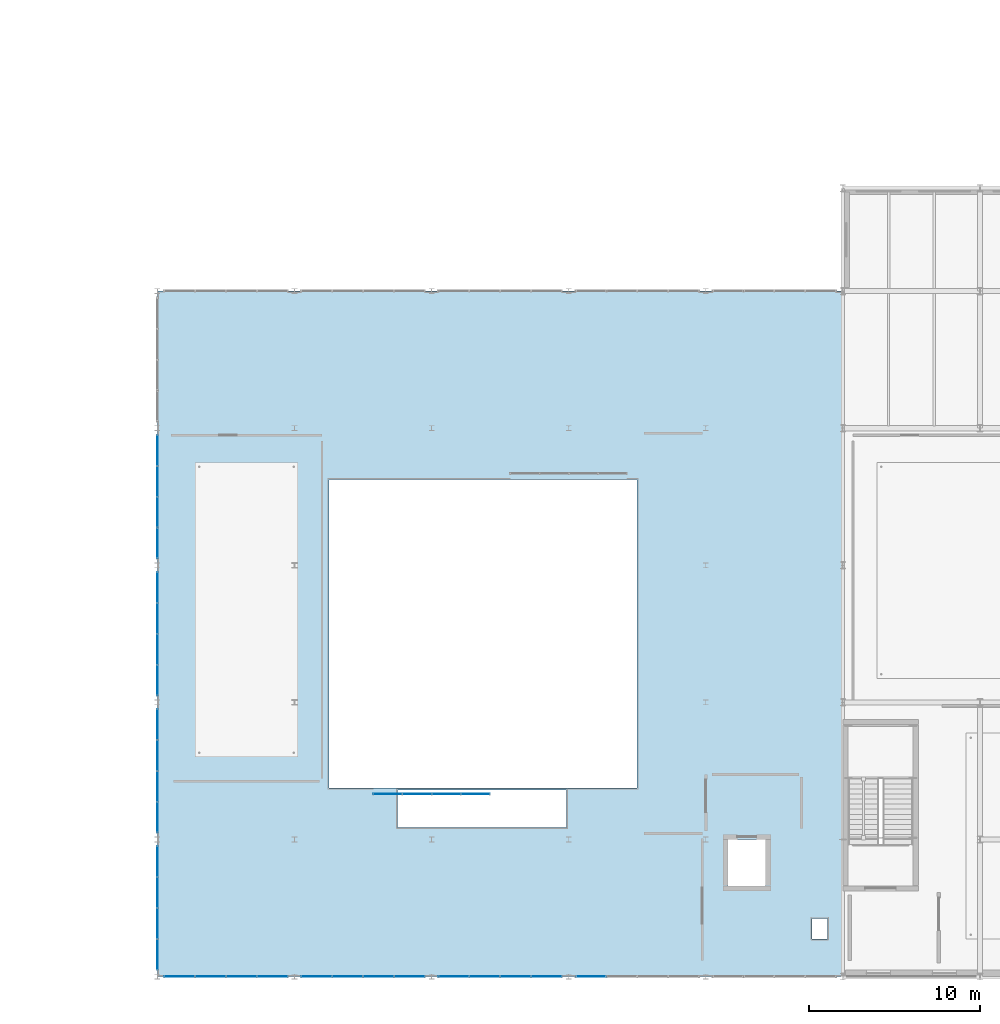
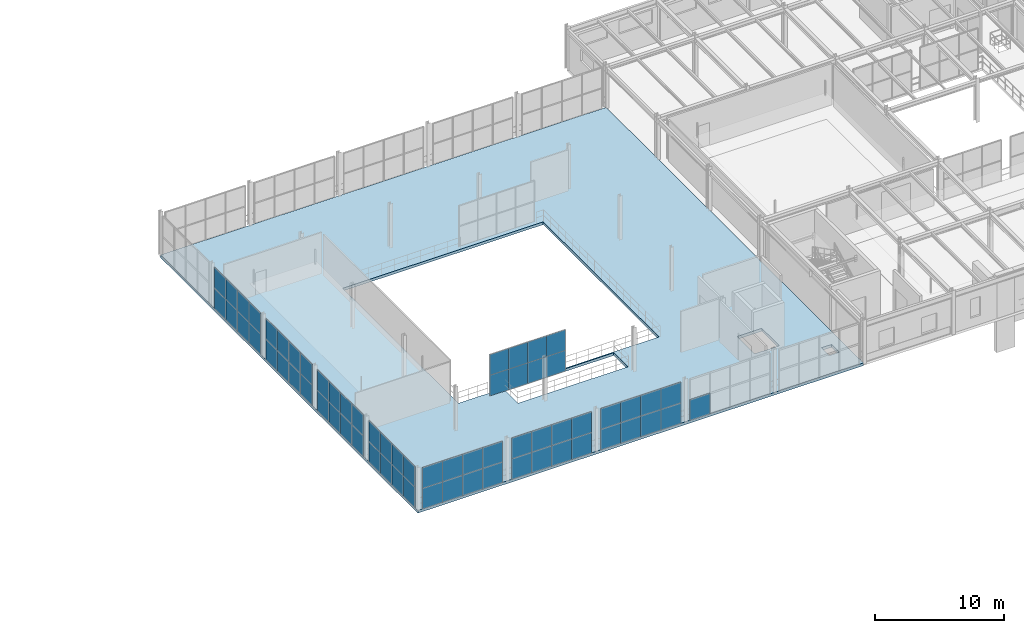
# One storey, part 31 of 67: 65 plates, 1 slab, 9 elements without a shape of their own.
"""IFC4 building model written with IfcOpenShell, lengths in metres."""

from ifc_helpers import new_model, si_unit, direction, frame, origin, origin_2d, place, context, subcontext, project, spatial, polyline, rectangle, outline, extrude, material, layer, layer_set, type_object, element, aggregate, save


model = new_model("IFC4")

# Units and contexts
model_context = context("Model", 3, precision=1e-05, world=origin(), true_north=direction((0.0, 1.0)))
body_context = subcontext(model_context, "Body", "Model", "MODEL_VIEW")
ifc_project = project(units=[si_unit("LENGTHUNIT", "METRE"), si_unit("AREAUNIT", "SQUARE_METRE"), si_unit("VOLUMEUNIT", "CUBIC_METRE"), si_unit("PLANEANGLEUNIT", "RADIAN"), si_unit("MASSUNIT", "GRAM", prefix="KILO")], contexts=[model_context])

# Site, building, storey
site_placement = place(None, origin())
site = spatial("IfcSite", under=ifc_project, at=site_placement, CompositionType="ELEMENT")
building_placement = place(site_placement, origin())
building = spatial("IfcBuilding", under=site, at=building_placement, Name="Sundkrona Museum", CompositionType="ELEMENT")
storey_placement = place(building_placement, frame((0.0, 0.0, 21.800048828125)))
storey = spatial("IfcBuildingStorey", under=building, at=storey_placement, Name="L04", CompositionType="ELEMENT", Elevation=21.800048828125)

# Curtain wall, plates
ifc_material_1 = material(Name="Unitised Aluminium-Steel and Ceramic-Clad Curtain Walling", Category="steel")
curtain_wall_type_1 = type_object("IfcCurtainWallType", Name="CW-AT-72x38", PredefinedType="NOTDEFINED", material=ifc_material_1)
curtain_wall_1_placement = place(storey_placement, origin())
curtain_wall_1 = element("IfcCurtainWall", 1, at=curtain_wall_1_placement, inside=storey, type_object=curtain_wall_type_1, Name="L04 Curtain Wall CW-L04-077", PredefinedType="NOTDEFINED")
ifc_material_2 = material(Name="Triple Low-E Vision Glazing 32 mm", Category="glass")
ifc_layer_1 = layer(ifc_material_2, 0.031982421875)
ifc_layer_set_1 = layer_set([ifc_layer_1], Name="Triple Low-E Vision Glazing 32 mm")
plate_type_1 = type_object("IfcPlateType", Name="PN-GL-01", PredefinedType="CURTAIN_PANEL", material=ifc_layer_set_1)
plate_1_placement = place(storey_placement, frame((81.300048828125, 0.0, -0.00390625), z_axis=(0.0, 0.0, 1.0), x_axis=(1.0, 0.0, 0.0)))
plate_1 = element("IfcPlate", 2, at=plate_1_placement, type_object=plate_type_1, Name="CW-L04-077 Panel 01", PredefinedType="CURTAIN_PANEL", context=body_context, shape_type="SweptSolid", body=[
    extrude(rectangle(XDim=1.800048828125, YDim=0.031982421875, at=origin_2d()), origin(), (0.0, 0.0, 1.0), 1.964111328125),
])
plate_2_placement = place(storey_placement, frame((81.300048828125, 0.0, 1.9599609375), z_axis=(0.0, 0.0, 1.0), x_axis=(1.0, 0.0, 0.0)))
plate_2 = element("IfcPlate", 3, at=plate_2_placement, type_object=plate_type_1, Name="CW-L04-077 Panel 02", PredefinedType="CURTAIN_PANEL", context=body_context, shape_type="SweptSolid", body=[
    extrude(rectangle(XDim=1.800048828125, YDim=0.031982421875, at=origin_2d()), origin(), (0.0, 0.0, 1.0), 1.964111328125),
])
plate_3_placement = place(storey_placement, frame((83.10009765625, 0.0, -0.00390625), z_axis=(0.0, 0.0, 1.0), x_axis=(1.0, 0.0, 0.0)))
plate_3 = element("IfcPlate", 4, at=plate_3_placement, type_object=plate_type_1, Name="CW-L04-077 Panel 03", PredefinedType="CURTAIN_PANEL", context=body_context, shape_type="SweptSolid", body=[
    extrude(rectangle(XDim=1.800048828125, YDim=0.031982421875, at=origin_2d()), origin(), (0.0, 0.0, 1.0), 1.964111328125),
])
plate_4_placement = place(storey_placement, frame((83.10009765625, 0.0, 1.9599609375), z_axis=(0.0, 0.0, 1.0), x_axis=(1.0, 0.0, 0.0)))
plate_4 = element("IfcPlate", 5, at=plate_4_placement, type_object=plate_type_1, Name="CW-L04-077 Panel 04", PredefinedType="CURTAIN_PANEL", context=body_context, shape_type="SweptSolid", body=[
    extrude(rectangle(XDim=1.800048828125, YDim=0.031982421875, at=origin_2d()), origin(), (0.0, 0.0, 1.0), 1.964111328125),
])
plate_5_placement = place(storey_placement, frame((84.89990234375, 0.0, -0.00390625), z_axis=(0.0, 0.0, 1.0), x_axis=(1.0, 0.0, 0.0)))
plate_5 = element("IfcPlate", 6, at=plate_5_placement, type_object=plate_type_1, Name="CW-L04-077 Panel 05", PredefinedType="CURTAIN_PANEL", context=body_context, shape_type="SweptSolid", body=[
    extrude(rectangle(XDim=1.800048828125, YDim=0.031982421875, at=origin_2d()), origin(), (0.0, 0.0, 1.0), 1.964111328125),
])
plate_6_placement = place(storey_placement, frame((84.89990234375, 0.0, 1.9599609375), z_axis=(0.0, 0.0, 1.0), x_axis=(1.0, 0.0, 0.0)))
plate_6 = element("IfcPlate", 7, at=plate_6_placement, type_object=plate_type_1, Name="CW-L04-077 Panel 06", PredefinedType="CURTAIN_PANEL", context=body_context, shape_type="SweptSolid", body=[
    extrude(rectangle(XDim=1.800048828125, YDim=0.031982421875, at=origin_2d()), origin(), (0.0, 0.0, 1.0), 1.964111328125),
])
plate_7_placement = place(storey_placement, frame((86.699951171875, 0.0, -0.00390625), z_axis=(0.0, 0.0, 1.0), x_axis=(1.0, 0.0, 0.0)))
plate_7 = element("IfcPlate", 8, at=plate_7_placement, type_object=plate_type_1, Name="CW-L04-077 Panel 07", PredefinedType="CURTAIN_PANEL", context=body_context, shape_type="SweptSolid", body=[
    extrude(rectangle(XDim=1.800048828125, YDim=0.031982421875, at=origin_2d()), origin(), (0.0, 0.0, 1.0), 1.964111328125),
])
plate_8_placement = place(storey_placement, frame((86.699951171875, 0.0, 1.9599609375), z_axis=(0.0, 0.0, 1.0), x_axis=(1.0, 0.0, 0.0)))
plate_8 = element("IfcPlate", 9, at=plate_8_placement, type_object=plate_type_1, Name="CW-L04-077 Panel 08", PredefinedType="CURTAIN_PANEL", context=body_context, shape_type="SweptSolid", body=[
    extrude(rectangle(XDim=1.800048828125, YDim=0.031982421875, at=origin_2d()), origin(), (0.0, 0.0, 1.0), 1.964111328125),
])
aggregate(curtain_wall_1, [plate_1, plate_2, plate_3, plate_4, plate_5, plate_6, plate_7, plate_8])

curtain_wall_2_placement = place(storey_placement, origin())
curtain_wall_2 = element("IfcCurtainWall", 10, at=curtain_wall_2_placement, inside=storey, type_object=curtain_wall_type_1, Name="L04 Curtain Wall CW-L04-078", PredefinedType="NOTDEFINED")
plate_9_placement = place(storey_placement, frame((89.300048828125, 0.0, -0.00390625), z_axis=(0.0, 0.0, 1.0), x_axis=(1.0, 0.0, 0.0)))
plate_9 = element("IfcPlate", 11, at=plate_9_placement, type_object=plate_type_1, Name="CW-L04-078 Panel 01", PredefinedType="CURTAIN_PANEL", context=body_context, shape_type="SweptSolid", body=[
    extrude(rectangle(XDim=1.800048828125, YDim=0.031982421875, at=origin_2d()), origin(), (0.0, 0.0, 1.0), 1.964111328125),
])
plate_10_placement = place(storey_placement, frame((89.300048828125, 0.0, 1.9599609375), z_axis=(0.0, 0.0, 1.0), x_axis=(1.0, 0.0, 0.0)))
plate_10 = element("IfcPlate", 12, at=plate_10_placement, type_object=plate_type_1, Name="CW-L04-078 Panel 02", PredefinedType="CURTAIN_PANEL", context=body_context, shape_type="SweptSolid", body=[
    extrude(rectangle(XDim=1.800048828125, YDim=0.031982421875, at=origin_2d()), origin(), (0.0, 0.0, 1.0), 1.964111328125),
])
plate_11_placement = place(storey_placement, frame((91.10009765625, 0.0, -0.00390625), z_axis=(0.0, 0.0, 1.0), x_axis=(1.0, 0.0, 0.0)))
plate_11 = element("IfcPlate", 13, at=plate_11_placement, type_object=plate_type_1, Name="CW-L04-078 Panel 03", PredefinedType="CURTAIN_PANEL", context=body_context, shape_type="SweptSolid", body=[
    extrude(rectangle(XDim=1.800048828125, YDim=0.031982421875, at=origin_2d()), origin(), (0.0, 0.0, 1.0), 1.964111328125),
])
plate_12_placement = place(storey_placement, frame((91.10009765625, 0.0, 1.9599609375), z_axis=(0.0, 0.0, 1.0), x_axis=(1.0, 0.0, 0.0)))
plate_12 = element("IfcPlate", 14, at=plate_12_placement, type_object=plate_type_1, Name="CW-L04-078 Panel 04", PredefinedType="CURTAIN_PANEL", context=body_context, shape_type="SweptSolid", body=[
    extrude(rectangle(XDim=1.800048828125, YDim=0.031982421875, at=origin_2d()), origin(), (0.0, 0.0, 1.0), 1.964111328125),
])
plate_13_placement = place(storey_placement, frame((92.89990234375, 0.0, -0.00390625), z_axis=(0.0, 0.0, 1.0), x_axis=(1.0, 0.0, 0.0)))
plate_13 = element("IfcPlate", 15, at=plate_13_placement, type_object=plate_type_1, Name="CW-L04-078 Panel 05", PredefinedType="CURTAIN_PANEL", context=body_context, shape_type="SweptSolid", body=[
    extrude(rectangle(XDim=1.800048828125, YDim=0.031982421875, at=origin_2d()), origin(), (0.0, 0.0, 1.0), 1.964111328125),
])
plate_14_placement = place(storey_placement, frame((92.89990234375, 0.0, 1.9599609375), z_axis=(0.0, 0.0, 1.0), x_axis=(1.0, 0.0, 0.0)))
plate_14 = element("IfcPlate", 16, at=plate_14_placement, type_object=plate_type_1, Name="CW-L04-078 Panel 06", PredefinedType="CURTAIN_PANEL", context=body_context, shape_type="SweptSolid", body=[
    extrude(rectangle(XDim=1.800048828125, YDim=0.031982421875, at=origin_2d()), origin(), (0.0, 0.0, 1.0), 1.964111328125),
])
plate_15_placement = place(storey_placement, frame((94.699951171875, 0.0, -0.00390625), z_axis=(0.0, 0.0, 1.0), x_axis=(1.0, 0.0, 0.0)))
plate_15 = element("IfcPlate", 17, at=plate_15_placement, type_object=plate_type_1, Name="CW-L04-078 Panel 07", PredefinedType="CURTAIN_PANEL", context=body_context, shape_type="SweptSolid", body=[
    extrude(rectangle(XDim=1.800048828125, YDim=0.031982421875, at=origin_2d()), origin(), (0.0, 0.0, 1.0), 1.964111328125),
])
plate_16_placement = place(storey_placement, frame((94.699951171875, 0.0, 1.9599609375), z_axis=(0.0, 0.0, 1.0), x_axis=(1.0, 0.0, 0.0)))
plate_16 = element("IfcPlate", 18, at=plate_16_placement, type_object=plate_type_1, Name="CW-L04-078 Panel 08", PredefinedType="CURTAIN_PANEL", context=body_context, shape_type="SweptSolid", body=[
    extrude(rectangle(XDim=1.800048828125, YDim=0.031982421875, at=origin_2d()), origin(), (0.0, 0.0, 1.0), 1.964111328125),
])
aggregate(curtain_wall_2, [plate_9, plate_10, plate_11, plate_12, plate_13, plate_14, plate_15, plate_16])

curtain_wall_3_placement = place(storey_placement, origin())
curtain_wall_3 = element("IfcCurtainWall", 19, at=curtain_wall_3_placement, inside=storey, type_object=curtain_wall_type_1, Name="L04 Curtain Wall CW-L04-079", PredefinedType="NOTDEFINED")
plate_17_placement = place(storey_placement, frame((97.300048828125, 0.0, -0.00390625), z_axis=(0.0, 0.0, 1.0), x_axis=(1.0, 0.0, 0.0)))
plate_17 = element("IfcPlate", 20, at=plate_17_placement, type_object=plate_type_1, Name="CW-L04-079 Panel 01", PredefinedType="CURTAIN_PANEL", context=body_context, shape_type="SweptSolid", body=[
    extrude(rectangle(XDim=1.800048828125, YDim=0.031982421875, at=origin_2d()), origin(), (0.0, 0.0, 1.0), 1.964111328125),
])
plate_18_placement = place(storey_placement, frame((97.300048828125, 0.0, 1.9599609375), z_axis=(0.0, 0.0, 1.0), x_axis=(1.0, 0.0, 0.0)))
plate_18 = element("IfcPlate", 21, at=plate_18_placement, type_object=plate_type_1, Name="CW-L04-079 Panel 02", PredefinedType="CURTAIN_PANEL", context=body_context, shape_type="SweptSolid", body=[
    extrude(rectangle(XDim=1.800048828125, YDim=0.031982421875, at=origin_2d()), origin(), (0.0, 0.0, 1.0), 1.964111328125),
])
plate_19_placement = place(storey_placement, frame((99.10009765625, 0.0, -0.00390625), z_axis=(0.0, 0.0, 1.0), x_axis=(1.0, 0.0, 0.0)))
plate_19 = element("IfcPlate", 22, at=plate_19_placement, type_object=plate_type_1, Name="CW-L04-079 Panel 03", PredefinedType="CURTAIN_PANEL", context=body_context, shape_type="SweptSolid", body=[
    extrude(rectangle(XDim=1.800048828125, YDim=0.031982421875, at=origin_2d()), origin(), (0.0, 0.0, 1.0), 1.964111328125),
])
plate_20_placement = place(storey_placement, frame((99.10009765625, 0.0, 1.9599609375), z_axis=(0.0, 0.0, 1.0), x_axis=(1.0, 0.0, 0.0)))
plate_20 = element("IfcPlate", 23, at=plate_20_placement, type_object=plate_type_1, Name="CW-L04-079 Panel 04", PredefinedType="CURTAIN_PANEL", context=body_context, shape_type="SweptSolid", body=[
    extrude(rectangle(XDim=1.800048828125, YDim=0.031982421875, at=origin_2d()), origin(), (0.0, 0.0, 1.0), 1.964111328125),
])
plate_21_placement = place(storey_placement, frame((100.89990234375, 0.0, -0.00390625), z_axis=(0.0, 0.0, 1.0), x_axis=(1.0, 0.0, 0.0)))
plate_21 = element("IfcPlate", 24, at=plate_21_placement, type_object=plate_type_1, Name="CW-L04-079 Panel 05", PredefinedType="CURTAIN_PANEL", context=body_context, shape_type="SweptSolid", body=[
    extrude(rectangle(XDim=1.800048828125, YDim=0.031982421875, at=origin_2d()), origin(), (0.0, 0.0, 1.0), 1.964111328125),
])
plate_22_placement = place(storey_placement, frame((100.89990234375, 0.0, 1.9599609375), z_axis=(0.0, 0.0, 1.0), x_axis=(1.0, 0.0, 0.0)))
plate_22 = element("IfcPlate", 25, at=plate_22_placement, type_object=plate_type_1, Name="CW-L04-079 Panel 06", PredefinedType="CURTAIN_PANEL", context=body_context, shape_type="SweptSolid", body=[
    extrude(rectangle(XDim=1.800048828125, YDim=0.031982421875, at=origin_2d()), origin(), (0.0, 0.0, 1.0), 1.964111328125),
])
plate_23_placement = place(storey_placement, frame((102.699951171875, 0.0, -0.00390625), z_axis=(0.0, 0.0, 1.0), x_axis=(1.0, 0.0, 0.0)))
plate_23 = element("IfcPlate", 26, at=plate_23_placement, type_object=plate_type_1, Name="CW-L04-079 Panel 07", PredefinedType="CURTAIN_PANEL", context=body_context, shape_type="SweptSolid", body=[
    extrude(rectangle(XDim=1.800048828125, YDim=0.031982421875, at=origin_2d()), origin(), (0.0, 0.0, 1.0), 1.964111328125),
])
plate_24_placement = place(storey_placement, frame((102.699951171875, 0.0, 1.9599609375), z_axis=(0.0, 0.0, 1.0), x_axis=(1.0, 0.0, 0.0)))
plate_24 = element("IfcPlate", 27, at=plate_24_placement, type_object=plate_type_1, Name="CW-L04-079 Panel 08", PredefinedType="CURTAIN_PANEL", context=body_context, shape_type="SweptSolid", body=[
    extrude(rectangle(XDim=1.800048828125, YDim=0.031982421875, at=origin_2d()), origin(), (0.0, 0.0, 1.0), 1.964111328125),
])
aggregate(curtain_wall_3, [plate_17, plate_18, plate_19, plate_20, plate_21, plate_22, plate_23, plate_24])

# Curtain wall, plate
curtain_wall_4_placement = place(storey_placement, origin())
curtain_wall_4 = element("IfcCurtainWall", 28, at=curtain_wall_4_placement, inside=storey, type_object=curtain_wall_type_1, Name="L04 Curtain Wall CW-L04-080", PredefinedType="NOTDEFINED")
plate_25_placement = place(storey_placement, frame((105.300048828125, 0.0, -0.00390625), z_axis=(0.0, 0.0, 1.0), x_axis=(1.0, 0.0, 0.0)))
plate_25 = element("IfcPlate", 29, at=plate_25_placement, type_object=plate_type_1, Name="CW-L04-080 Panel 01", PredefinedType="CURTAIN_PANEL", context=body_context, shape_type="SweptSolid", body=[
    extrude(rectangle(XDim=1.800048828125, YDim=0.031982421875, at=origin_2d()), origin(), (0.0, 0.0, 1.0), 1.964111328125),
])
aggregate(curtain_wall_4, [plate_25])

# Curtain wall, plates
curtain_wall_5_placement = place(storey_placement, origin())
curtain_wall_5 = element("IfcCurtainWall", 30, at=curtain_wall_5_placement, inside=storey, type_object=curtain_wall_type_1, Name="L04 Curtain Wall CW-L04-082", PredefinedType="NOTDEFINED")
plate_26_placement = place(storey_placement, frame((80.0, 1.300048828125, -0.00390625), z_axis=(0.0, 0.0, 1.0), x_axis=(0.0, 1.0, 0.0)))
plate_26 = element("IfcPlate", 31, at=plate_26_placement, type_object=plate_type_1, Name="CW-L04-082 Panel 01", PredefinedType="CURTAIN_PANEL", context=body_context, shape_type="SweptSolid", body=[
    extrude(rectangle(XDim=1.800048828125, YDim=0.031982421875, at=origin_2d()), origin(), (0.0, 0.0, 1.0), 1.964111328125),
])
plate_27_placement = place(storey_placement, frame((80.0, 1.300048828125, 1.9599609375), z_axis=(0.0, 0.0, 1.0), x_axis=(0.0, 1.0, 0.0)))
plate_27 = element("IfcPlate", 32, at=plate_27_placement, type_object=plate_type_1, Name="CW-L04-082 Panel 02", PredefinedType="CURTAIN_PANEL", context=body_context, shape_type="SweptSolid", body=[
    extrude(rectangle(XDim=1.800048828125, YDim=0.031982421875, at=origin_2d()), origin(), (0.0, 0.0, 1.0), 1.964111328125),
])
plate_28_placement = place(storey_placement, frame((80.0, 3.10009765625, -0.00390625), z_axis=(0.0, 0.0, 1.0), x_axis=(0.0, 1.0, 0.0)))
plate_28 = element("IfcPlate", 33, at=plate_28_placement, type_object=plate_type_1, Name="CW-L04-082 Panel 03", PredefinedType="CURTAIN_PANEL", context=body_context, shape_type="SweptSolid", body=[
    extrude(rectangle(XDim=1.800048828125, YDim=0.031982421875, at=origin_2d()), origin(), (0.0, 0.0, 1.0), 1.964111328125),
])
plate_29_placement = place(storey_placement, frame((80.0, 3.10009765625, 1.9599609375), z_axis=(0.0, 0.0, 1.0), x_axis=(0.0, 1.0, 0.0)))
plate_29 = element("IfcPlate", 34, at=plate_29_placement, type_object=plate_type_1, Name="CW-L04-082 Panel 04", PredefinedType="CURTAIN_PANEL", context=body_context, shape_type="SweptSolid", body=[
    extrude(rectangle(XDim=1.800048828125, YDim=0.031982421875, at=origin_2d()), origin(), (0.0, 0.0, 1.0), 1.964111328125),
])
plate_30_placement = place(storey_placement, frame((80.0, 4.89990234375, -0.00390625), z_axis=(0.0, 0.0, 1.0), x_axis=(0.0, 1.0, 0.0)))
plate_30 = element("IfcPlate", 35, at=plate_30_placement, type_object=plate_type_1, Name="CW-L04-082 Panel 05", PredefinedType="CURTAIN_PANEL", context=body_context, shape_type="SweptSolid", body=[
    extrude(rectangle(XDim=1.800048828125, YDim=0.031982421875, at=origin_2d()), origin(), (0.0, 0.0, 1.0), 1.964111328125),
])
plate_31_placement = place(storey_placement, frame((80.0, 4.89990234375, 1.9599609375), z_axis=(0.0, 0.0, 1.0), x_axis=(0.0, 1.0, 0.0)))
plate_31 = element("IfcPlate", 36, at=plate_31_placement, type_object=plate_type_1, Name="CW-L04-082 Panel 06", PredefinedType="CURTAIN_PANEL", context=body_context, shape_type="SweptSolid", body=[
    extrude(rectangle(XDim=1.800048828125, YDim=0.031982421875, at=origin_2d()), origin(), (0.0, 0.0, 1.0), 1.964111328125),
])
plate_32_placement = place(storey_placement, frame((80.0, 6.699951171875, -0.00390625), z_axis=(0.0, 0.0, 1.0), x_axis=(0.0, 1.0, 0.0)))
plate_32 = element("IfcPlate", 37, at=plate_32_placement, type_object=plate_type_1, Name="CW-L04-082 Panel 07", PredefinedType="CURTAIN_PANEL", context=body_context, shape_type="SweptSolid", body=[
    extrude(rectangle(XDim=1.800048828125, YDim=0.031982421875, at=origin_2d()), origin(), (0.0, 0.0, 1.0), 1.964111328125),
])
plate_33_placement = place(storey_placement, frame((80.0, 6.699951171875, 1.9599609375), z_axis=(0.0, 0.0, 1.0), x_axis=(0.0, 1.0, 0.0)))
plate_33 = element("IfcPlate", 38, at=plate_33_placement, type_object=plate_type_1, Name="CW-L04-082 Panel 08", PredefinedType="CURTAIN_PANEL", context=body_context, shape_type="SweptSolid", body=[
    extrude(rectangle(XDim=1.800048828125, YDim=0.031982421875, at=origin_2d()), origin(), (0.0, 0.0, 1.0), 1.964111328125),
])
aggregate(curtain_wall_5, [plate_26, plate_27, plate_28, plate_29, plate_30, plate_31, plate_32, plate_33])

curtain_wall_6_placement = place(storey_placement, origin())
curtain_wall_6 = element("IfcCurtainWall", 39, at=curtain_wall_6_placement, inside=storey, type_object=curtain_wall_type_1, Name="L04 Curtain Wall CW-L04-083", PredefinedType="NOTDEFINED")
plate_34_placement = place(storey_placement, frame((80.0, 9.300048828125, -0.00390625), z_axis=(0.0, 0.0, 1.0), x_axis=(0.0, 1.0, 0.0)))
plate_34 = element("IfcPlate", 40, at=plate_34_placement, type_object=plate_type_1, Name="CW-L04-083 Panel 01", PredefinedType="CURTAIN_PANEL", context=body_context, shape_type="SweptSolid", body=[
    extrude(rectangle(XDim=1.800048828125, YDim=0.031982421875, at=origin_2d()), origin(), (0.0, 0.0, 1.0), 1.964111328125),
])
plate_35_placement = place(storey_placement, frame((80.0, 9.300048828125, 1.9599609375), z_axis=(0.0, 0.0, 1.0), x_axis=(0.0, 1.0, 0.0)))
plate_35 = element("IfcPlate", 41, at=plate_35_placement, type_object=plate_type_1, Name="CW-L04-083 Panel 02", PredefinedType="CURTAIN_PANEL", context=body_context, shape_type="SweptSolid", body=[
    extrude(rectangle(XDim=1.800048828125, YDim=0.031982421875, at=origin_2d()), origin(), (0.0, 0.0, 1.0), 1.964111328125),
])
plate_36_placement = place(storey_placement, frame((80.0, 11.10009765625, -0.00390625), z_axis=(0.0, 0.0, 1.0), x_axis=(0.0, 1.0, 0.0)))
plate_36 = element("IfcPlate", 42, at=plate_36_placement, type_object=plate_type_1, Name="CW-L04-083 Panel 03", PredefinedType="CURTAIN_PANEL", context=body_context, shape_type="SweptSolid", body=[
    extrude(rectangle(XDim=1.800048828125, YDim=0.031982421875, at=origin_2d()), origin(), (0.0, 0.0, 1.0), 1.964111328125),
])
plate_37_placement = place(storey_placement, frame((80.0, 11.10009765625, 1.9599609375), z_axis=(0.0, 0.0, 1.0), x_axis=(0.0, 1.0, 0.0)))
plate_37 = element("IfcPlate", 43, at=plate_37_placement, type_object=plate_type_1, Name="CW-L04-083 Panel 04", PredefinedType="CURTAIN_PANEL", context=body_context, shape_type="SweptSolid", body=[
    extrude(rectangle(XDim=1.800048828125, YDim=0.031982421875, at=origin_2d()), origin(), (0.0, 0.0, 1.0), 1.964111328125),
])
plate_38_placement = place(storey_placement, frame((80.0, 12.89990234375, -0.00390625), z_axis=(0.0, 0.0, 1.0), x_axis=(0.0, 1.0, 0.0)))
plate_38 = element("IfcPlate", 44, at=plate_38_placement, type_object=plate_type_1, Name="CW-L04-083 Panel 05", PredefinedType="CURTAIN_PANEL", context=body_context, shape_type="SweptSolid", body=[
    extrude(rectangle(XDim=1.800048828125, YDim=0.031982421875, at=origin_2d()), origin(), (0.0, 0.0, 1.0), 1.964111328125),
])
plate_39_placement = place(storey_placement, frame((80.0, 12.89990234375, 1.9599609375), z_axis=(0.0, 0.0, 1.0), x_axis=(0.0, 1.0, 0.0)))
plate_39 = element("IfcPlate", 45, at=plate_39_placement, type_object=plate_type_1, Name="CW-L04-083 Panel 06", PredefinedType="CURTAIN_PANEL", context=body_context, shape_type="SweptSolid", body=[
    extrude(rectangle(XDim=1.800048828125, YDim=0.031982421875, at=origin_2d()), origin(), (0.0, 0.0, 1.0), 1.964111328125),
])
plate_40_placement = place(storey_placement, frame((80.0, 14.699951171875, -0.00390625), z_axis=(0.0, 0.0, 1.0), x_axis=(0.0, 1.0, 0.0)))
plate_40 = element("IfcPlate", 46, at=plate_40_placement, type_object=plate_type_1, Name="CW-L04-083 Panel 07", PredefinedType="CURTAIN_PANEL", context=body_context, shape_type="SweptSolid", body=[
    extrude(rectangle(XDim=1.800048828125, YDim=0.031982421875, at=origin_2d()), origin(), (0.0, 0.0, 1.0), 1.964111328125),
])
plate_41_placement = place(storey_placement, frame((80.0, 14.699951171875, 1.9599609375), z_axis=(0.0, 0.0, 1.0), x_axis=(0.0, 1.0, 0.0)))
plate_41 = element("IfcPlate", 47, at=plate_41_placement, type_object=plate_type_1, Name="CW-L04-083 Panel 08", PredefinedType="CURTAIN_PANEL", context=body_context, shape_type="SweptSolid", body=[
    extrude(rectangle(XDim=1.800048828125, YDim=0.031982421875, at=origin_2d()), origin(), (0.0, 0.0, 1.0), 1.964111328125),
])
aggregate(curtain_wall_6, [plate_34, plate_35, plate_36, plate_37, plate_38, plate_39, plate_40, plate_41])

curtain_wall_7_placement = place(storey_placement, origin())
curtain_wall_7 = element("IfcCurtainWall", 48, at=curtain_wall_7_placement, inside=storey, type_object=curtain_wall_type_1, Name="L04 Curtain Wall CW-L04-084", PredefinedType="NOTDEFINED")
plate_42_placement = place(storey_placement, frame((80.0, 17.300048828125, -0.00390625), z_axis=(0.0, 0.0, 1.0), x_axis=(0.0, 1.0, 0.0)))
plate_42 = element("IfcPlate", 49, at=plate_42_placement, type_object=plate_type_1, Name="CW-L04-084 Panel 01", PredefinedType="CURTAIN_PANEL", context=body_context, shape_type="SweptSolid", body=[
    extrude(rectangle(XDim=1.800048828125, YDim=0.031982421875, at=origin_2d()), origin(), (0.0, 0.0, 1.0), 1.964111328125),
])
plate_43_placement = place(storey_placement, frame((80.0, 17.300048828125, 1.9599609375), z_axis=(0.0, 0.0, 1.0), x_axis=(0.0, 1.0, 0.0)))
plate_43 = element("IfcPlate", 50, at=plate_43_placement, type_object=plate_type_1, Name="CW-L04-084 Panel 02", PredefinedType="CURTAIN_PANEL", context=body_context, shape_type="SweptSolid", body=[
    extrude(rectangle(XDim=1.800048828125, YDim=0.031982421875, at=origin_2d()), origin(), (0.0, 0.0, 1.0), 1.964111328125),
])
plate_44_placement = place(storey_placement, frame((80.0, 19.10009765625, -0.00390625), z_axis=(0.0, 0.0, 1.0), x_axis=(0.0, 1.0, 0.0)))
plate_44 = element("IfcPlate", 51, at=plate_44_placement, type_object=plate_type_1, Name="CW-L04-084 Panel 03", PredefinedType="CURTAIN_PANEL", context=body_context, shape_type="SweptSolid", body=[
    extrude(rectangle(XDim=1.800048828125, YDim=0.031982421875, at=origin_2d()), origin(), (0.0, 0.0, 1.0), 1.964111328125),
])
plate_45_placement = place(storey_placement, frame((80.0, 19.10009765625, 1.9599609375), z_axis=(0.0, 0.0, 1.0), x_axis=(0.0, 1.0, 0.0)))
plate_45 = element("IfcPlate", 52, at=plate_45_placement, type_object=plate_type_1, Name="CW-L04-084 Panel 04", PredefinedType="CURTAIN_PANEL", context=body_context, shape_type="SweptSolid", body=[
    extrude(rectangle(XDim=1.800048828125, YDim=0.031982421875, at=origin_2d()), origin(), (0.0, 0.0, 1.0), 1.964111328125),
])
plate_46_placement = place(storey_placement, frame((80.0, 20.89990234375, -0.00390625), z_axis=(0.0, 0.0, 1.0), x_axis=(0.0, 1.0, 0.0)))
plate_46 = element("IfcPlate", 53, at=plate_46_placement, type_object=plate_type_1, Name="CW-L04-084 Panel 05", PredefinedType="CURTAIN_PANEL", context=body_context, shape_type="SweptSolid", body=[
    extrude(rectangle(XDim=1.800048828125, YDim=0.031982421875, at=origin_2d()), origin(), (0.0, 0.0, 1.0), 1.964111328125),
])
plate_47_placement = place(storey_placement, frame((80.0, 20.89990234375, 1.9599609375), z_axis=(0.0, 0.0, 1.0), x_axis=(0.0, 1.0, 0.0)))
plate_47 = element("IfcPlate", 54, at=plate_47_placement, type_object=plate_type_1, Name="CW-L04-084 Panel 06", PredefinedType="CURTAIN_PANEL", context=body_context, shape_type="SweptSolid", body=[
    extrude(rectangle(XDim=1.800048828125, YDim=0.031982421875, at=origin_2d()), origin(), (0.0, 0.0, 1.0), 1.964111328125),
])
plate_48_placement = place(storey_placement, frame((80.0, 22.699951171875, -0.00390625), z_axis=(0.0, 0.0, 1.0), x_axis=(0.0, 1.0, 0.0)))
plate_48 = element("IfcPlate", 55, at=plate_48_placement, type_object=plate_type_1, Name="CW-L04-084 Panel 07", PredefinedType="CURTAIN_PANEL", context=body_context, shape_type="SweptSolid", body=[
    extrude(rectangle(XDim=1.800048828125, YDim=0.031982421875, at=origin_2d()), origin(), (0.0, 0.0, 1.0), 1.964111328125),
])
plate_49_placement = place(storey_placement, frame((80.0, 22.699951171875, 1.9599609375), z_axis=(0.0, 0.0, 1.0), x_axis=(0.0, 1.0, 0.0)))
plate_49 = element("IfcPlate", 56, at=plate_49_placement, type_object=plate_type_1, Name="CW-L04-084 Panel 08", PredefinedType="CURTAIN_PANEL", context=body_context, shape_type="SweptSolid", body=[
    extrude(rectangle(XDim=1.800048828125, YDim=0.031982421875, at=origin_2d()), origin(), (0.0, 0.0, 1.0), 1.964111328125),
])
aggregate(curtain_wall_7, [plate_42, plate_43, plate_44, plate_45, plate_46, plate_47, plate_48, plate_49])

curtain_wall_8_placement = place(storey_placement, origin())
curtain_wall_8 = element("IfcCurtainWall", 57, at=curtain_wall_8_placement, inside=storey, type_object=curtain_wall_type_1, Name="L04 Curtain Wall CW-L04-085", PredefinedType="NOTDEFINED")
plate_50_placement = place(storey_placement, frame((80.0, 25.300048828125, -0.00390625), z_axis=(0.0, 0.0, 1.0), x_axis=(0.0, 1.0, 0.0)))
plate_50 = element("IfcPlate", 58, at=plate_50_placement, type_object=plate_type_1, Name="CW-L04-085 Panel 01", PredefinedType="CURTAIN_PANEL", context=body_context, shape_type="SweptSolid", body=[
    extrude(rectangle(XDim=1.800048828125, YDim=0.031982421875, at=origin_2d()), origin(), (0.0, 0.0, 1.0), 1.964111328125),
])
plate_51_placement = place(storey_placement, frame((80.0, 25.300048828125, 1.9599609375), z_axis=(0.0, 0.0, 1.0), x_axis=(0.0, 1.0, 0.0)))
plate_51 = element("IfcPlate", 59, at=plate_51_placement, type_object=plate_type_1, Name="CW-L04-085 Panel 02", PredefinedType="CURTAIN_PANEL", context=body_context, shape_type="SweptSolid", body=[
    extrude(rectangle(XDim=1.800048828125, YDim=0.031982421875, at=origin_2d()), origin(), (0.0, 0.0, 1.0), 1.964111328125),
])
plate_52_placement = place(storey_placement, frame((80.0, 27.10009765625, -0.00390625), z_axis=(0.0, 0.0, 1.0), x_axis=(0.0, 1.0, 0.0)))
plate_52 = element("IfcPlate", 60, at=plate_52_placement, type_object=plate_type_1, Name="CW-L04-085 Panel 03", PredefinedType="CURTAIN_PANEL", context=body_context, shape_type="SweptSolid", body=[
    extrude(rectangle(XDim=1.800048828125, YDim=0.031982421875, at=origin_2d()), origin(), (0.0, 0.0, 1.0), 1.964111328125),
])
plate_53_placement = place(storey_placement, frame((80.0, 27.10009765625, 1.9599609375), z_axis=(0.0, 0.0, 1.0), x_axis=(0.0, 1.0, 0.0)))
plate_53 = element("IfcPlate", 61, at=plate_53_placement, type_object=plate_type_1, Name="CW-L04-085 Panel 04", PredefinedType="CURTAIN_PANEL", context=body_context, shape_type="SweptSolid", body=[
    extrude(rectangle(XDim=1.800048828125, YDim=0.031982421875, at=origin_2d()), origin(), (0.0, 0.0, 1.0), 1.964111328125),
])
plate_54_placement = place(storey_placement, frame((80.0, 28.89990234375, -0.00390625), z_axis=(0.0, 0.0, 1.0), x_axis=(0.0, 1.0, 0.0)))
plate_54 = element("IfcPlate", 62, at=plate_54_placement, type_object=plate_type_1, Name="CW-L04-085 Panel 05", PredefinedType="CURTAIN_PANEL", context=body_context, shape_type="SweptSolid", body=[
    extrude(rectangle(XDim=1.800048828125, YDim=0.031982421875, at=origin_2d()), origin(), (0.0, 0.0, 1.0), 1.964111328125),
])
plate_55_placement = place(storey_placement, frame((80.0, 28.89990234375, 1.9599609375), z_axis=(0.0, 0.0, 1.0), x_axis=(0.0, 1.0, 0.0)))
plate_55 = element("IfcPlate", 63, at=plate_55_placement, type_object=plate_type_1, Name="CW-L04-085 Panel 06", PredefinedType="CURTAIN_PANEL", context=body_context, shape_type="SweptSolid", body=[
    extrude(rectangle(XDim=1.800048828125, YDim=0.031982421875, at=origin_2d()), origin(), (0.0, 0.0, 1.0), 1.964111328125),
])
plate_56_placement = place(storey_placement, frame((80.0, 30.699951171875, -0.00390625), z_axis=(0.0, 0.0, 1.0), x_axis=(0.0, 1.0, 0.0)))
plate_56 = element("IfcPlate", 64, at=plate_56_placement, type_object=plate_type_1, Name="CW-L04-085 Panel 07", PredefinedType="CURTAIN_PANEL", context=body_context, shape_type="SweptSolid", body=[
    extrude(rectangle(XDim=1.800048828125, YDim=0.031982421875, at=origin_2d()), origin(), (0.0, 0.0, 1.0), 1.964111328125),
])
plate_57_placement = place(storey_placement, frame((80.0, 30.699951171875, 1.9599609375), z_axis=(0.0, 0.0, 1.0), x_axis=(0.0, 1.0, 0.0)))
plate_57 = element("IfcPlate", 65, at=plate_57_placement, type_object=plate_type_1, Name="CW-L04-085 Panel 08", PredefinedType="CURTAIN_PANEL", context=body_context, shape_type="SweptSolid", body=[
    extrude(rectangle(XDim=1.800048828125, YDim=0.031982421875, at=origin_2d()), origin(), (0.0, 0.0, 1.0), 1.964111328125),
])
aggregate(curtain_wall_8, [plate_50, plate_51, plate_52, plate_53, plate_54, plate_55, plate_56, plate_57])

curtain_wall_type_2 = type_object("IfcCurtainWallType", Name="CW-IN-68x36", PredefinedType="NOTDEFINED", material=ifc_material_1)
curtain_wall_9_placement = place(storey_placement, origin())
curtain_wall_9 = element("IfcCurtainWall", 66, at=curtain_wall_9_placement, inside=storey, type_object=curtain_wall_type_2, Name="L04 Curtain Wall CW-L04-092", PredefinedType="NOTDEFINED")
ifc_material_3 = material(Name="Tempered Laminated Fire Glass 32 mm", Category="glass")
ifc_layer_2 = layer(ifc_material_3, 0.031982421875)
ifc_layer_set_2 = layer_set([ifc_layer_2], Name="Tempered Laminated Fire Glass 32 mm")
plate_type_2 = type_object("IfcPlateType", Name="PN-IN-01", PredefinedType="CURTAIN_PANEL", material=ifc_layer_set_2)
plate_58_placement = place(storey_placement, frame((93.449951171875, 10.64990234375, -0.00390625), z_axis=(0.0, 0.0, 1.0), x_axis=(1.0, 0.0, 0.0)))
plate_58 = element("IfcPlate", 67, at=plate_58_placement, type_object=plate_type_2, Name="CW-L04-092 Panel 01", PredefinedType="CURTAIN_PANEL", context=body_context, shape_type="SweptSolid", body=[
    extrude(rectangle(XDim=1.699951171875, YDim=0.031982421875, at=origin_2d()), origin(), (0.0, 0.0, 1.0), 1.964111328125),
])
plate_59_placement = place(storey_placement, frame((93.449951171875, 10.64990234375, 1.9599609375), z_axis=(0.0, 0.0, 1.0), x_axis=(1.0, 0.0, 0.0)))
plate_59 = element("IfcPlate", 68, at=plate_59_placement, type_object=plate_type_2, Name="CW-L04-092 Panel 02", PredefinedType="CURTAIN_PANEL", context=body_context, shape_type="SweptSolid", body=[
    extrude(rectangle(XDim=1.699951171875, YDim=0.031982421875, at=origin_2d()), origin(), (0.0, 0.0, 1.0), 1.964111328125),
])
plate_60_placement = place(storey_placement, frame((95.14990234375, 10.64990234375, -0.00390625), z_axis=(0.0, 0.0, 1.0), x_axis=(1.0, 0.0, 0.0)))
plate_60 = element("IfcPlate", 69, at=plate_60_placement, type_object=plate_type_2, Name="CW-L04-092 Panel 03", PredefinedType="CURTAIN_PANEL", context=body_context, shape_type="SweptSolid", body=[
    extrude(rectangle(XDim=1.699951171875, YDim=0.031982421875, at=origin_2d()), origin(), (0.0, 0.0, 1.0), 1.964111328125),
])
plate_61_placement = place(storey_placement, frame((95.14990234375, 10.64990234375, 1.9599609375), z_axis=(0.0, 0.0, 1.0), x_axis=(1.0, 0.0, 0.0)))
plate_61 = element("IfcPlate", 70, at=plate_61_placement, type_object=plate_type_2, Name="CW-L04-092 Panel 04", PredefinedType="CURTAIN_PANEL", context=body_context, shape_type="SweptSolid", body=[
    extrude(rectangle(XDim=1.699951171875, YDim=0.031982421875, at=origin_2d()), origin(), (0.0, 0.0, 1.0), 1.964111328125),
])
plate_62_placement = place(storey_placement, frame((96.85009765625, 10.64990234375, -0.00390625), z_axis=(0.0, 0.0, 1.0), x_axis=(1.0, 0.0, 0.0)))
plate_62 = element("IfcPlate", 71, at=plate_62_placement, type_object=plate_type_2, Name="CW-L04-092 Panel 05", PredefinedType="CURTAIN_PANEL", context=body_context, shape_type="SweptSolid", body=[
    extrude(rectangle(XDim=1.699951171875, YDim=0.031982421875, at=origin_2d()), origin(), (0.0, 0.0, 1.0), 1.964111328125),
])
plate_63_placement = place(storey_placement, frame((96.85009765625, 10.64990234375, 1.9599609375), z_axis=(0.0, 0.0, 1.0), x_axis=(1.0, 0.0, 0.0)))
plate_63 = element("IfcPlate", 72, at=plate_63_placement, type_object=plate_type_2, Name="CW-L04-092 Panel 06", PredefinedType="CURTAIN_PANEL", context=body_context, shape_type="SweptSolid", body=[
    extrude(rectangle(XDim=1.699951171875, YDim=0.031982421875, at=origin_2d()), origin(), (0.0, 0.0, 1.0), 1.964111328125),
])
plate_64_placement = place(storey_placement, frame((98.550048828125, 10.64990234375, -0.00390625), z_axis=(0.0, 0.0, 1.0), x_axis=(1.0, 0.0, 0.0)))
plate_64 = element("IfcPlate", 73, at=plate_64_placement, type_object=plate_type_2, Name="CW-L04-092 Panel 07", PredefinedType="CURTAIN_PANEL", context=body_context, shape_type="SweptSolid", body=[
    extrude(rectangle(XDim=1.699951171875, YDim=0.031982421875, at=origin_2d()), origin(), (0.0, 0.0, 1.0), 1.964111328125),
])
plate_65_placement = place(storey_placement, frame((98.550048828125, 10.64990234375, 1.9599609375), z_axis=(0.0, 0.0, 1.0), x_axis=(1.0, 0.0, 0.0)))
plate_65 = element("IfcPlate", 74, at=plate_65_placement, type_object=plate_type_2, Name="CW-L04-092 Panel 08", PredefinedType="CURTAIN_PANEL", context=body_context, shape_type="SweptSolid", body=[
    extrude(rectangle(XDim=1.699951171875, YDim=0.031982421875, at=origin_2d()), origin(), (0.0, 0.0, 1.0), 1.964111328125),
])
aggregate(curtain_wall_9, [plate_58, plate_59, plate_60, plate_61, plate_62, plate_63, plate_64, plate_65])

# Slab
ifc_material_4 = material(Name="Concrete C35/45", Category="concrete")
ifc_layer_3 = layer(ifc_material_4, 0.260009765625)
ifc_layer_set_3 = layer_set([ifc_layer_3], Name="Concrete C35/45")
slab_type = type_object("IfcSlabType", Name="SL-FL-260", PredefinedType="FLOOR", material=ifc_layer_set_3)
slab_placement = place(storey_placement, frame((0.0, 0.0, -0.260009765625)))
element("IfcSlab", 75, at=slab_placement, inside=storey, type_object=slab_type, Name="L04 Atrium and education composite floor slab 260 mm (SL-L04-V2A)", PredefinedType="FLOOR", context=body_context, shape_type="SweptSolid", body=[
    extrude(outline(polyline([(80.0, 0.0), (120.0, 0.0), (120.0, 40.0), (80.0, 40.0), (80.0, 0.0)]), holes=[polyline([(119.10009765625, 2.199951171875), (118.199951171875, 2.199951171875), (118.199951171875, 3.39990234375), (119.10009765625, 3.39990234375), (119.10009765625, 2.199951171875)]), polyline([(115.5, 5.300048828125), (113.300048828125, 5.300048828125), (113.300048828125, 8.0), (115.5, 8.0), (115.5, 5.300048828125)]), polyline([(108.0, 11.0), (90.0, 11.0), (90.0, 29.0), (108.0, 29.0), (108.0, 11.0)]), polyline([(103.8798828125, 8.699951171875), (94.02001953125, 8.699951171875), (94.02001953125, 10.89990234375), (103.8798828125, 10.89990234375), (103.8798828125, 8.699951171875)])]), origin(), (0.0, 0.0, 1.0), 0.260009765625),
])

save(model, "model.ifc")
